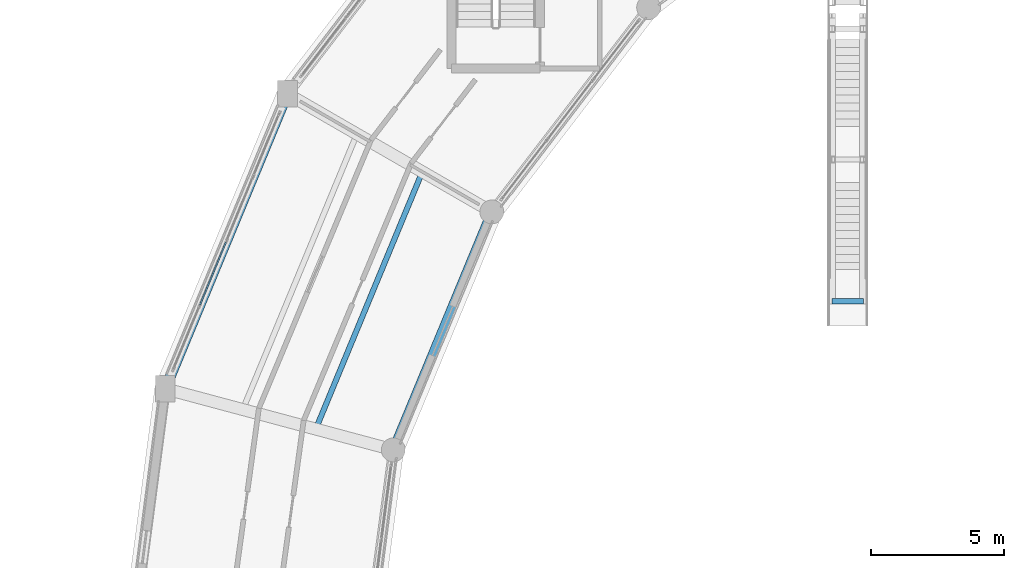
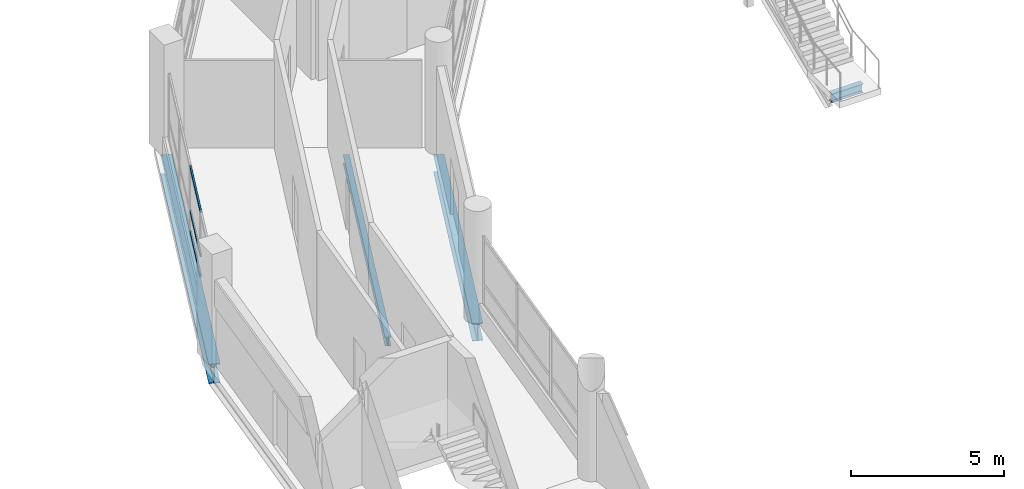
# One storey, part 47 of 129: 4 beams, 3 members, 1 element without a shape of its own.
"""IFC4 building model written with IfcOpenShell, lengths in metres."""

import ifcopenshell
import ifcopenshell.guid

model = None  # the IFC model being written
_history = None  # IfcOwnerHistory: only IFC2X3 demands one
_inside = {}  # id of a spatial element -> (the spatial element, [elements in it])
_under = {}  # id of a project, library or spatial element -> (it, [spatial elements below it])
_declared = {}  # id of a project -> (the project, [libraries it declares])
_typed = {}  # id of a type object -> (the type object, [elements of that type])
_made_of = {}  # id of a material, layer set ... -> (it, [elements and type objects made of it])


def new_model(schema):
    """Start an empty IFC model of exactly this schema.

    Asked for "IFC4X3", IfcOpenShell would pick the latest addendum, in which some entities
    have other attributes; the version numbers below select the first issue.
    IFC2X3 requires an IfcOwnerHistory on every rooted entity: one is made here for all.
    """
    global model, _history
    if schema == "IFC4X3":
        model = ifcopenshell.file(schema_version=(4, 3, 0, 0))
    else:
        model = ifcopenshell.file(schema=schema)
    _inside.clear()
    _under.clear()
    _declared.clear()
    _typed.clear()
    _made_of.clear()
    _history = None
    if model.schema == "IFC2X3":
        org = make("IfcOrganization", Name="unknown")
        user = make(
            "IfcPersonAndOrganization",
            ThePerson=make("IfcPerson", FamilyName="unknown"),
            TheOrganization=org,
        )
        app = make(
            "IfcApplication",
            ApplicationDeveloper=org,
            Version="unknown",
            ApplicationFullName="unknown",
            ApplicationIdentifier="unknown",
        )
        _history = make(
            "IfcOwnerHistory",
            OwningUser=user,
            OwningApplication=app,
            ChangeAction="ADDED",
            CreationDate=0,
        )
    return model


def make(cls, **values):
    """One entity of the class cls with the attributes given. An attribute that is None is left unset."""
    return model.create_entity(
        cls, **{name: value for name, value in values.items() if value is not None}
    )


def rooted(cls, **values):
    """An entity with a GlobalId (a new one), such as an element, a storey or a relation."""
    return make(cls, GlobalId=ifcopenshell.guid.new(), OwnerHistory=_history, **values)


def si_unit(unit_type, name, prefix=None):
    """IfcSIUnit, for example si_unit("LENGTHUNIT", "METRE", prefix="MILLI")."""
    return make("IfcSIUnit", UnitType=unit_type, Prefix=prefix, Name=name)


def assignment(units):
    """IfcUnitAssignment: the units of a project."""
    return None if units is None else make("IfcUnitAssignment", Units=units)


def point(xyz):
    """IfcCartesianPoint."""
    return None if xyz is None else make("IfcCartesianPoint", Coordinates=xyz)


def direction(xyz):
    """IfcDirection."""
    return None if xyz is None else make("IfcDirection", DirectionRatios=xyz)


def frame(location, z_axis=None, x_axis=None):
    """IfcAxis2Placement3D, a coordinate frame: its origin and axes. An axis left out is left unset."""
    return make(
        "IfcAxis2Placement3D",
        Location=point(location),
        Axis=direction(z_axis),
        RefDirection=direction(x_axis),
    )


def frame_2d(location, x_axis=None):
    """IfcAxis2Placement2D, a coordinate frame in the plane: its origin and x axis."""
    return make(
        "IfcAxis2Placement2D", Location=point(location), RefDirection=direction(x_axis)
    )


def origin():
    """The frame at (0, 0, 0) with its axes left unset."""
    return frame((0.0, 0.0, 0.0))


def origin_2d():
    """The frame at (0, 0) in the plane with its x axis left unset."""
    return frame_2d((0.0, 0.0))


def place(relative_to, where):
    """IfcLocalPlacement: puts the frame where relative to a parent placement (None: the world)."""
    return make(
        "IfcLocalPlacement", PlacementRelTo=relative_to, RelativePlacement=where
    )


def context(
    kind, dimensions, precision=None, world=None, true_north=None, identifier=None
):
    """IfcGeometricRepresentationContext, for example the 3D "Model" context."""
    return make(
        "IfcGeometricRepresentationContext",
        ContextIdentifier=identifier,
        ContextType=kind,
        CoordinateSpaceDimension=dimensions,
        Precision=precision,
        WorldCoordinateSystem=world,
        TrueNorth=true_north,
    )


def subcontext(parent, identifier, kind, view, scale=None):
    """IfcGeometricRepresentationSubContext, for example "Body" below "Model"."""
    return make(
        "IfcGeometricRepresentationSubContext",
        ContextIdentifier=identifier,
        ContextType=kind,
        ParentContext=parent,
        TargetScale=scale,
        TargetView=view,
    )


def project(units=None, contexts=None):
    """IfcProject with its units and contexts."""
    return rooted(
        "IfcProject",
        Name="project",
        RepresentationContexts=contexts,
        UnitsInContext=assignment(units),
    )


def spatial(cls, under=None, at=None, **own):
    """A site, building, storey or space (cls), placed at a placement, below another one or the project."""
    s = rooted(cls, ObjectPlacement=at, **own)
    if under is not None:
        _under.setdefault(under.id(), (under, []))[1].append(s)
    return s


def profile(cls, at=None, kind="AREA", **sizes):
    """A parametric profile (cls). Its sizes go by their IFC names, for example OverallWidth=200.0."""
    return make(cls, ProfileType=kind, Position=at, **sizes)


def hollow_rectangle(**sizes):
    """IfcRectangleHollowProfileDef."""
    return profile("IfcRectangleHollowProfileDef", **sizes)


def i_section(**sizes):
    """IfcIShapeProfileDef."""
    return profile("IfcIShapeProfileDef", **sizes)


def extrude(swept, where, along, depth):
    """IfcExtrudedAreaSolid: the profile swept, set in the frame where, extruded along a direction by depth."""
    return make(
        "IfcExtrudedAreaSolid",
        SweptArea=swept,
        Position=where,
        ExtrudedDirection=direction(along),
        Depth=depth,
    )


def shape(context_of_items, identifier, shape_type, items):
    """IfcShapeRepresentation: the items that make up one representation, for example the "Body"."""
    return make(
        "IfcShapeRepresentation",
        ContextOfItems=context_of_items,
        RepresentationIdentifier=identifier,
        RepresentationType=shape_type,
        Items=items,
    )


def material(Name=None, Category=None):
    """IfcMaterial."""
    return make("IfcMaterial", Name=Name, Category=Category)


def layer(
    of_material, thickness, ventilated=None, Name=None, Category=None, Priority=None
):
    """IfcMaterialLayer: one layer of a wall or slab, of a material (None: an air gap)."""
    return make(
        "IfcMaterialLayer",
        Material=of_material,
        LayerThickness=thickness,
        IsVentilated=ventilated,
        Name=Name,
        Category=Category,
        Priority=Priority,
    )


def layer_set(layers, Name=None):
    """IfcMaterialLayerSet."""
    return make("IfcMaterialLayerSet", MaterialLayers=layers, LayerSetName=Name)


def material_profile(
    of_material, cross_section, Name=None, Category=None, Priority=None
):
    """IfcMaterialProfile: a cross section and its material."""
    return make(
        "IfcMaterialProfile",
        Name=Name,
        Material=of_material,
        Profile=cross_section,
        Priority=Priority,
        Category=Category,
    )


def profile_set(profiles, Name=None, composite=None):
    """IfcMaterialProfileSet."""
    return make(
        "IfcMaterialProfileSet",
        Name=Name,
        MaterialProfiles=profiles,
        CompositeProfile=composite,
    )


def made_of(thing, what):
    """Note that an element or type object is made of a material, layer set ...; save() writes the relation."""
    if what is not None:
        _made_of.setdefault(what.id(), (what, []))[1].append(thing)
    return thing


def type_object(cls, material=None, **own):
    """A type object (cls), such as IfcWallType, which elements share."""
    return made_of(rooted(cls, **own), material)


def element(
    cls,
    number,
    at=None,
    inside=None,
    cuts=None,
    type_object=None,
    material=None,
    context=None,
    identifier="Body",
    shape_type=None,
    held_by="IfcProductDefinitionShape",
    body=None,
    shapes=None,
    **own,
):
    """One element of the class cls, such as IfcWall. Its Tag is "e" and its number.

    at: its placement. inside: the storey or other place that contains it. cuts: it is an
    opening in that element (IfcRelVoidsElement). A single representation is given by context,
    identifier, shape_type and body (its items); several are given by shapes. held_by: the class
    of the entity that holds the representations. save() writes the other relations.
    """
    e = rooted(cls, Tag="e%d" % number, ObjectPlacement=at, **own)
    if body is not None:
        shapes = [shape(context, identifier, shape_type, body)]
    if shapes is not None:
        e.Representation = make(held_by, Representations=shapes)
    if inside is not None:
        _inside.setdefault(inside.id(), (inside, []))[1].append(e)
    if cuts is not None:
        rooted(
            "IfcRelVoidsElement", RelatingBuildingElement=cuts, RelatedOpeningElement=e
        )
    if type_object is not None:
        _typed.setdefault(type_object.id(), (type_object, []))[1].append(e)
    return made_of(e, material)


def aggregate(whole, parts):
    """IfcRelAggregates: a whole, such as a stair, and the parts it consists of."""
    return rooted("IfcRelAggregates", RelatingObject=whole, RelatedObjects=parts)


def save(model, path):
    """Write the relations noted so far, then the file.

    IfcRelAggregates (storeys below a building ...), IfcRelContainedInSpatialStructure (elements
    in a storey), IfcRelDefinesByType, IfcRelAssociatesMaterial and IfcRelDeclares: one each for
    every whole, place, type object, material and project.
    """
    for whole, parts in _under.values():
        aggregate(whole, parts)
    for where, things in _inside.values():
        rooted(
            "IfcRelContainedInSpatialStructure",
            RelatedElements=things,
            RelatingStructure=where,
        )
    for kind, things in _typed.values():
        rooted("IfcRelDefinesByType", RelatedObjects=things, RelatingType=kind)
    for what, things in _made_of.values():
        rooted("IfcRelAssociatesMaterial", RelatedObjects=things, RelatingMaterial=what)
    for by, libraries in _declared.values():
        rooted("IfcRelDeclares", RelatingContext=by, RelatedDefinitions=libraries)
    model.write(path)


model = new_model("IFC4")

# Units and contexts
model_context = context("Model", 3, precision=1e-05, world=origin(), true_north=direction((0.0, 1.0)))
body_context = subcontext(model_context, "Body", "Model", "MODEL_VIEW")
ifc_project = project(units=[si_unit("LENGTHUNIT", "METRE"), si_unit("AREAUNIT", "SQUARE_METRE"), si_unit("VOLUMEUNIT", "CUBIC_METRE"), si_unit("PLANEANGLEUNIT", "RADIAN"), si_unit("MASSUNIT", "GRAM", prefix="KILO")], contexts=[model_context])

# Site, building, storey
site_placement = place(None, origin())
site = spatial("IfcSite", under=ifc_project, at=site_placement, CompositionType="ELEMENT")
building_placement = place(site_placement, origin())
building = spatial("IfcBuilding", under=site, at=building_placement, Name="Vespera Passage Community Centre", CompositionType="ELEMENT")
storey_placement = place(building_placement, origin())
storey = spatial("IfcBuildingStorey", under=building, at=storey_placement, Name="L00", CompositionType="ELEMENT", Elevation=0.0)

# Beams
ifc_material_1 = material(Name="Steel ASTM A992 Grade 50", Category="steel")
ifc_material_profile_1 = material_profile(ifc_material_1, i_section(OverallWidth=0.2041015625, OverallDepth=0.3505859375, WebThickness=0.008544921875, FlangeThickness=0.01513671875, FilletRadius=0.01513671875, at=origin_2d()), Name="W14X48")
ifc_profile_set_1 = profile_set([ifc_material_profile_1], Name="Steel ASTM A992 Grade 50")
beam_type_1 = type_object("IfcBeamType", Name="BM-J-W14X48", PredefinedType="JOIST", material=ifc_profile_set_1)
beam_1_placement = place(storey_placement, frame((43.163330078125, 85.613037109375, -0.455322265625), z_axis=(-0.382683064417, -0.92387968492, 0.0), x_axis=(0.92387968492, -0.382683064417, 0.0)))
element("IfcBeam", 1, at=beam_1_placement, inside=storey, type_object=beam_type_1, Name="V4 L00 Floor Joist 10.1", PredefinedType="JOIST", context=body_context, shape_type="SweptSolid", body=[
    extrude(i_section(OverallWidth=0.2041015625, OverallDepth=0.3505859375, WebThickness=0.008544921875, FlangeThickness=0.01513671875, FilletRadius=0.01513671875, at=origin_2d()), origin(), (0.0, 0.0, 1.0), 10.5009765625),
])
ifc_material_2 = material(Name="Steel ASTM A992 Grade 50", Category="steel")
ifc_material_profile_2 = material_profile(ifc_material_2, i_section(OverallWidth=0.3544921875, OverallDepth=0.695556640625, WebThickness=0.015380859375, FlangeThickness=0.024658203125, FilletRadius=0.01513671875, at=origin_2d()), Name="W27X146")
ifc_profile_set_2 = profile_set([ifc_material_profile_2], Name="Steel ASTM A992 Grade 50")
beam_type_2 = type_object("IfcBeamType", Name="BM-SP-W27X146E", PredefinedType="SPANDREL", material=ifc_profile_set_2)
beam_2_placement = place(storey_placement, frame((45.783935546875, 84.10009765625, -0.627685546875), z_axis=(-0.382684844258, -0.923878947685, 0.0), x_axis=(0.923878947685, -0.382684844258, 0.0)))
element("IfcBeam", 2, at=beam_2_placement, inside=storey, type_object=beam_type_2, Name="V4 L00 Inner Spandrel 10", PredefinedType="SPANDREL", context=body_context, shape_type="SweptSolid", body=[
    extrude(i_section(OverallWidth=0.3544921875, OverallDepth=0.695556640625, WebThickness=0.015380859375, FlangeThickness=0.024658203125, FilletRadius=0.01513671875, at=origin_2d()), origin(), (0.0, 0.0, 1.0), 9.711181640625),
])
ifc_material_3 = material(Name="Steel ASTM A992 Grade 50", Category="steel")
ifc_material_profile_3 = material_profile(ifc_material_3, i_section(OverallWidth=0.382080078125, OverallDepth=0.779296875, WebThickness=0.01806640625, FlangeThickness=0.030029296875, FilletRadius=0.0166015625, at=origin_2d()), Name="W30X191")
ifc_profile_set_3 = profile_set([ifc_material_profile_3], Name="Steel ASTM A992 Grade 50")
beam_type_3 = type_object("IfcBeamType", Name="BM-SP-W30X191E", PredefinedType="SPANDREL", material=ifc_profile_set_3)
beam_3_placement = place(storey_placement, frame((38.076171875, 88.550048828125, -0.669677734375), z_axis=(-0.382688629799, -0.923877379647, 0.0), x_axis=(0.923877379647, -0.382688629799, 0.0)))
element("IfcBeam", 3, at=beam_3_placement, inside=storey, type_object=beam_type_3, Name="V4 L00 Outer Spandrel 10", PredefinedType="SPANDREL", context=body_context, shape_type="SweptSolid", body=[
    extrude(i_section(OverallWidth=0.382080078125, OverallDepth=0.779296875, WebThickness=0.01806640625, FlangeThickness=0.030029296875, FilletRadius=0.0166015625, at=origin_2d()), origin(), (0.0, 0.0, 1.0), 12.034423828125),
])
ifc_material_4 = material(Name="Steel ASTM A992 Grade 50", Category="steel")
ifc_material_profile_4 = material_profile(ifc_material_4, i_section(OverallWidth=0.2041015625, OverallDepth=0.3505859375, WebThickness=0.008544921875, FlangeThickness=0.01513671875, FilletRadius=0.01513671875, at=origin_2d()), Name="W14X48")
ifc_profile_set_4 = profile_set([ifc_material_profile_4], Name="Steel ASTM A992 Grade 50")
beam_type_4 = type_object("IfcBeamType", Name="BM-STR-W14X48E", PredefinedType="BEAM", material=ifc_profile_set_4)
beam_4_placement = place(storey_placement, frame((59.794921875, 80.72509765625, -0.43505859375), z_axis=(-1.0, 0.0, 0.0), x_axis=(0.0, -1.0, 0.0)))
element("IfcBeam", 4, at=beam_4_placement, inside=storey, type_object=beam_type_4, Name="ST-CRT-04 B Header", PredefinedType="BEAM", context=body_context, shape_type="SweptSolid", body=[
    extrude(i_section(OverallWidth=0.2041015625, OverallDepth=0.3505859375, WebThickness=0.008544921875, FlangeThickness=0.01513671875, FilletRadius=0.01513671875, at=origin_2d()), origin(), (0.0, 0.0, 1.0), 1.18994140625),
])

# Curtain wall, members
ifc_material_5 = material(Name="Anodized aluminium 6063-T6", Category="aluminium")
ifc_layer = layer(ifc_material_5, 0.159912109375)
ifc_layer_set = layer_set([ifc_layer], Name="Anodized aluminium 6063-T6")
curtain_wall_type = type_object("IfcCurtainWallType", Name="CW-08E", PredefinedType="NOTDEFINED", material=ifc_layer_set)
curtain_wall_placement = place(storey_placement, origin())
curtain_wall = element("IfcCurtainWall", 5, at=curtain_wall_placement, inside=storey, type_object=curtain_wall_type, Name="V4 L00 Outer Ribbon Curtain Wall 10", PredefinedType="NOTDEFINED")
ifc_material_6 = material(Name="Anodized aluminium 6063-T6", Category="aluminium")
ifc_material_profile_5 = material_profile(ifc_material_6, hollow_rectangle(XDim=0.06005859375, YDim=0.1201171875, WallThickness=0.00390625, InnerFilletRadius=0.001953125, OuterFilletRadius=0.00390625, at=origin_2d()), Name="ALU120X60X4")
ifc_profile_set_5 = profile_set([ifc_material_profile_5], Name="Anodized aluminium 6063-T6")
member_type = type_object("IfcMemberType", Name="MB-CWT-120E", PredefinedType="USERDEFINED", material=ifc_profile_set_5)
member_1_placement = place(storey_placement, frame((34.78125, 80.59521484375, 0.85009765625), z_axis=(0.382647130015, 0.923894568601, 0.0), x_axis=(-0.923894568601, 0.382647130015, 0.0)))
member_1 = element("IfcMember", 6, at=member_1_placement, type_object=member_type, Name="CW-08E transom 2.1", ObjectType="TRANSOM", PredefinedType="USERDEFINED", context=body_context, shape_type="SweptSolid", body=[
    extrude(hollow_rectangle(XDim=0.06005859375, YDim=0.1201171875, WallThickness=0.00390625, InnerFilletRadius=0.001953125, OuterFilletRadius=0.00390625, at=origin_2d()), origin(), (0.0, 0.0, 1.0), 2.555419921875),
])
member_2_placement = place(storey_placement, frame((34.78125, 80.59521484375, 1.669921875), z_axis=(0.382647130015, 0.923894568601, 0.0), x_axis=(-0.923894568601, 0.382647130015, 0.0)))
member_2 = element("IfcMember", 7, at=member_2_placement, type_object=member_type, Name="CW-08E transom 2.2", ObjectType="TRANSOM", PredefinedType="USERDEFINED", context=body_context, shape_type="SweptSolid", body=[
    extrude(hollow_rectangle(XDim=0.06005859375, YDim=0.1201171875, WallThickness=0.00390625, InnerFilletRadius=0.001953125, OuterFilletRadius=0.00390625, at=origin_2d()), origin(), (0.0, 0.0, 1.0), 2.555419921875),
])
member_3_placement = place(storey_placement, frame((34.78125, 80.59521484375, 3.41552734375), z_axis=(0.382647130015, 0.923894568601, 0.0), x_axis=(-0.923894568601, 0.382647130015, 0.0)))
member_3 = element("IfcMember", 8, at=member_3_placement, type_object=member_type, Name="CW-08E transom 2.3", ObjectType="TRANSOM", PredefinedType="USERDEFINED", context=body_context, shape_type="SweptSolid", body=[
    extrude(hollow_rectangle(XDim=0.06005859375, YDim=0.1201171875, WallThickness=0.00390625, InnerFilletRadius=0.001953125, OuterFilletRadius=0.00390625, at=origin_2d()), origin(), (0.0, 0.0, 1.0), 2.555419921875),
])
aggregate(curtain_wall, [member_1, member_2, member_3])

save(model, "model.ifc")
